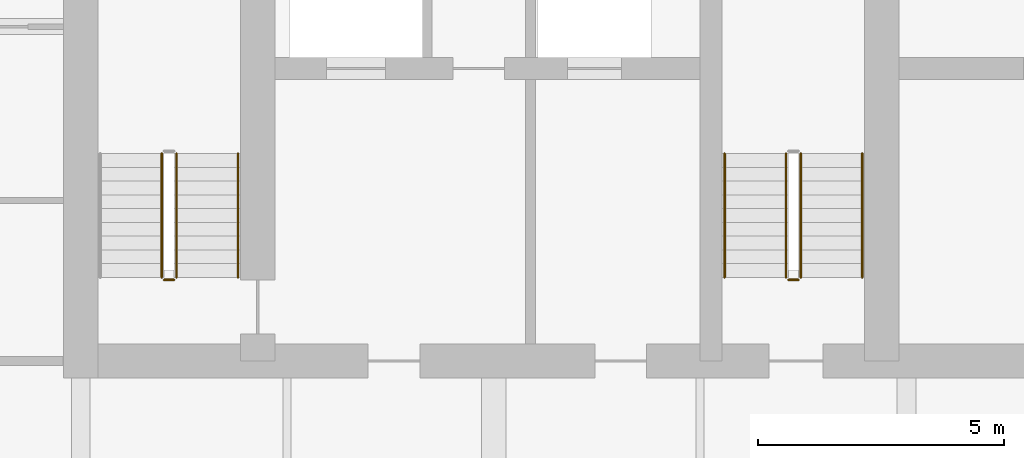
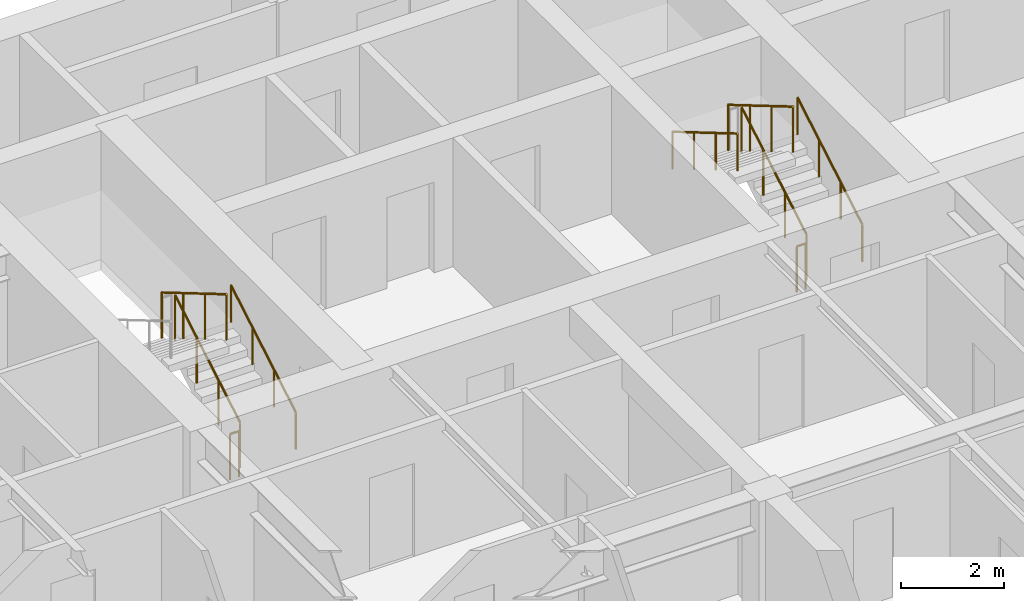
# One storey, part 13 of 16: 9 railings.
"""IFC4 building model written with IfcOpenShell, lengths in metres."""

from ifc_helpers import new_model, si_unit, direction, frame, origin, origin_2d, place, context, subcontext, project, spatial, circle, extrude, material, type_object, element, save


model = new_model("IFC4")

# Units and contexts
model_context = context("Model", 3, precision=1e-05, world=origin(), true_north=direction((0.0, 1.0)))
body_context = subcontext(model_context, "Body", "Model", "MODEL_VIEW")
ifc_project = project(units=[si_unit("LENGTHUNIT", "METRE"), si_unit("AREAUNIT", "SQUARE_METRE"), si_unit("VOLUMEUNIT", "CUBIC_METRE"), si_unit("PLANEANGLEUNIT", "RADIAN"), si_unit("MASSUNIT", "GRAM", prefix="KILO")], contexts=[model_context])

# Site, building, storey
site_placement = place(None, origin())
site = spatial("IfcSite", under=ifc_project, at=site_placement, CompositionType="ELEMENT")
building_placement = place(site_placement, origin())
building = spatial("IfcBuilding", under=site, at=building_placement, Name="Caelmar Bay Residences", CompositionType="ELEMENT")
storey_placement = place(building_placement, frame((0.0, 0.0, 252.89990234375)))
storey = spatial("IfcBuildingStorey", under=building, at=storey_placement, Name="L71", CompositionType="ELEMENT", Elevation=252.89990234375)

# Railings
ifc_material_1 = material(Name="Painted galvanized steel stair guard 1100 mm", Category="steel")
railing_type_1 = type_object("IfcRailingType", Name="RL-GRD-1100", PredefinedType="GUARDRAIL", material=ifc_material_1)
railing_1_placement = place(storey_placement, frame((20.25, 38.699951171875, 0.1650390625)))
element("IfcRailing", 1, at=railing_1_placement, inside=storey, type_object=railing_type_1, Name="L71 ST1 stair guard 1", PredefinedType="GUARDRAIL", context=body_context, shape_type="SweptSolid", body=[
    extrude(circle(Radius=0.02392578125, at=origin_2d()), frame((0.0, 0.0, 1.076171875), z_axis=(0.0, 0.86152411907, 0.507716645641), x_axis=(-1.0, 0.0, 0.0)), (0.0, 0.0, 1.0), 2.925048828125),
    extrude(circle(Radius=0.02099609375, at=origin_2d()), origin(), (0.0, 0.0, 1.0), 1.052001953125),
    extrude(circle(Radius=0.02099609375, at=origin_2d()), frame((0.0, 0.840087890625, 0.4951171875)), (0.0, 0.0, 1.0), 1.052001953125),
    extrude(circle(Radius=0.02099609375, at=origin_2d()), frame((0.0, 1.679931640625, 0.989990234375)), (0.0, 0.0, 1.0), 1.052001953125),
    extrude(circle(Radius=0.02099609375, at=origin_2d()), frame((0.0, 2.52001953125, 1.485107421875)), (0.0, 0.0, 1.0), 1.052001953125),
])
railing_2_placement = place(storey_placement, frame((19.949951171875, 41.219970703125, 1.815185546875)))
element("IfcRailing", 2, at=railing_2_placement, inside=storey, type_object=railing_type_1, Name="L71 ST1 stair guard 3", PredefinedType="GUARDRAIL", context=body_context, shape_type="SweptSolid", body=[
    extrude(circle(Radius=0.02392578125, at=origin_2d()), frame((0.0, 0.0, 1.076171875), z_axis=(0.0, -0.861560626758, 0.507654692109), x_axis=(1.0, 0.0, 0.0)), (0.0, 0.0, 1.0), 2.925048828125),
    extrude(circle(Radius=0.02099609375, at=origin_2d()), origin(), (0.0, 0.0, 1.0), 1.052001953125),
    extrude(circle(Radius=0.02099609375, at=origin_2d()), frame((0.0, -0.840087890625, 0.494873046875)), (0.0, 0.0, 1.0), 1.052001953125),
    extrude(circle(Radius=0.02099609375, at=origin_2d()), frame((0.0, -1.679931640625, 0.989990234375)), (0.0, 0.0, 1.0), 1.052001953125),
    extrude(circle(Radius=0.02099609375, at=origin_2d()), frame((0.0, -2.52001953125, 1.48486328125)), (0.0, 0.0, 1.0), 1.052001953125),
])
railing_3_placement = place(storey_placement, frame((20.199951171875, 38.64990234375, 0.0)))
element("IfcRailing", 3, at=railing_3_placement, inside=storey, type_object=railing_type_1, Name="L71 ST1 stair guard 4", PredefinedType="GUARDRAIL", context=body_context, shape_type="SweptSolid", body=[
    extrude(circle(Radius=0.02392578125, at=origin_2d()), frame((0.0, 0.0, 1.076171875), z_axis=(-1.0, 0.0, 0.0), x_axis=(0.0, -1.0, 0.0)), (0.0, 0.0, 1.0), 0.199951171875),
    extrude(circle(Radius=0.02099609375, at=origin_2d()), origin(), (0.0, 0.0, 1.0), 1.052001953125),
    extrude(circle(Radius=0.02099609375, at=origin_2d()), frame((-0.199951171875, 0.0, 0.0)), (0.0, 0.0, 1.0), 1.052001953125),
])
railing_4_placement = place(storey_placement, frame((32.949951171875, 38.699951171875, 0.1650390625)))
element("IfcRailing", 4, at=railing_4_placement, inside=storey, type_object=railing_type_1, Name="L71 ST3 stair guard 1", PredefinedType="GUARDRAIL", context=body_context, shape_type="SweptSolid", body=[
    extrude(circle(Radius=0.02392578125, at=origin_2d()), frame((0.0, 0.0, 1.076171875), z_axis=(0.0, 0.86152411907, 0.507716645641), x_axis=(-1.0, 0.0, 0.0)), (0.0, 0.0, 1.0), 2.925048828125),
    extrude(circle(Radius=0.02099609375, at=origin_2d()), origin(), (0.0, 0.0, 1.0), 1.052001953125),
    extrude(circle(Radius=0.02099609375, at=origin_2d()), frame((0.0, 0.840087890625, 0.4951171875)), (0.0, 0.0, 1.0), 1.052001953125),
    extrude(circle(Radius=0.02099609375, at=origin_2d()), frame((0.0, 1.679931640625, 0.989990234375)), (0.0, 0.0, 1.0), 1.052001953125),
    extrude(circle(Radius=0.02099609375, at=origin_2d()), frame((0.0, 2.52001953125, 1.485107421875)), (0.0, 0.0, 1.0), 1.052001953125),
])
railing_5_placement = place(storey_placement, frame((32.64990234375, 41.219970703125, 1.815185546875)))
element("IfcRailing", 5, at=railing_5_placement, inside=storey, type_object=railing_type_1, Name="L71 ST3 stair guard 3", PredefinedType="GUARDRAIL", context=body_context, shape_type="SweptSolid", body=[
    extrude(circle(Radius=0.02392578125, at=origin_2d()), frame((0.0, 0.0, 1.076171875), z_axis=(0.0, -0.861560626758, 0.507654692109), x_axis=(1.0, 0.0, 0.0)), (0.0, 0.0, 1.0), 2.925048828125),
    extrude(circle(Radius=0.02099609375, at=origin_2d()), origin(), (0.0, 0.0, 1.0), 1.052001953125),
    extrude(circle(Radius=0.02099609375, at=origin_2d()), frame((0.0, -0.840087890625, 0.494873046875)), (0.0, 0.0, 1.0), 1.052001953125),
    extrude(circle(Radius=0.02099609375, at=origin_2d()), frame((0.0, -1.679931640625, 0.989990234375)), (0.0, 0.0, 1.0), 1.052001953125),
    extrude(circle(Radius=0.02099609375, at=origin_2d()), frame((0.0, -2.52001953125, 1.48486328125)), (0.0, 0.0, 1.0), 1.052001953125),
])
railing_6_placement = place(storey_placement, frame((32.89990234375, 38.64990234375, 0.0)))
element("IfcRailing", 6, at=railing_6_placement, inside=storey, type_object=railing_type_1, Name="L71 ST3 stair guard 4", PredefinedType="GUARDRAIL", context=body_context, shape_type="SweptSolid", body=[
    extrude(circle(Radius=0.02392578125, at=origin_2d()), frame((0.0, 0.0, 1.076171875), z_axis=(-1.0, 0.0, 0.0), x_axis=(0.0, -1.0, 0.0)), (0.0, 0.0, 1.0), 0.199951171875),
    extrude(circle(Radius=0.02099609375, at=origin_2d()), origin(), (0.0, 0.0, 1.0), 1.052001953125),
    extrude(circle(Radius=0.02099609375, at=origin_2d()), frame((-0.199951171875, 0.0, 0.0)), (0.0, 0.0, 1.0), 1.052001953125),
])
ifc_material_2 = material(Name="Brushed bronze stainless-steel tubular handrail 900 mm", Category="steel")
railing_type_2 = type_object("IfcRailingType", Name="RL-HND-900", PredefinedType="HANDRAIL", material=ifc_material_2)
for number, where, name in (
    (7, (21.5, 38.699951171875, 0.1650390625), "L71 ST1 stair handrail 1"),
    (8, (34.199951171875, 38.699951171875, 0.1650390625), "L71 ST3 stair handrail 1"),
):
    element("IfcRailing", number, at=place(storey_placement, frame(where)), inside=storey, type_object=railing_type_2, Name=name, PredefinedType="HANDRAIL", context=body_context, shape_type="SweptSolid", body=[
        extrude(circle(Radius=0.02392578125, at=origin_2d()), frame((0.0, 0.0, 0.8759765625), z_axis=(0.0, 0.86152411907, 0.507716645641), x_axis=(-1.0, 0.0, 0.0)), (0.0, 0.0, 1.0), 2.925048828125),
        extrude(circle(Radius=0.02099609375, at=origin_2d()), origin(), (0.0, 0.0, 1.0), 0.851806640625),
        extrude(circle(Radius=0.02099609375, at=origin_2d()), frame((0.0, 0.840087890625, 0.4951171875)), (0.0, 0.0, 1.0), 0.851806640625),
        extrude(circle(Radius=0.02099609375, at=origin_2d()), frame((0.0, 1.679931640625, 0.989990234375)), (0.0, 0.0, 1.0), 0.851806640625),
        extrude(circle(Radius=0.02099609375, at=origin_2d()), frame((0.0, 2.52001953125, 1.485107421875)), (0.0, 0.0, 1.0), 0.851806640625),
    ])
railing_7_placement = place(storey_placement, frame((31.39990234375, 41.219970703125, 1.815185546875)))
element("IfcRailing", 9, at=railing_7_placement, inside=storey, type_object=railing_type_2, Name="L71 ST3 stair handrail 2", PredefinedType="HANDRAIL", context=body_context, shape_type="SweptSolid", body=[
    extrude(circle(Radius=0.02392578125, at=origin_2d()), frame((0.0, 0.0, 0.8759765625), z_axis=(0.0, -0.861560626758, 0.507654692109), x_axis=(1.0, 0.0, 0.0)), (0.0, 0.0, 1.0), 2.925048828125),
    extrude(circle(Radius=0.02099609375, at=origin_2d()), origin(), (0.0, 0.0, 1.0), 0.851806640625),
    extrude(circle(Radius=0.02099609375, at=origin_2d()), frame((0.0, -0.840087890625, 0.494873046875)), (0.0, 0.0, 1.0), 0.851806640625),
    extrude(circle(Radius=0.02099609375, at=origin_2d()), frame((0.0, -1.679931640625, 0.989990234375)), (0.0, 0.0, 1.0), 0.851806640625),
    extrude(circle(Radius=0.02099609375, at=origin_2d()), frame((0.0, -2.52001953125, 1.48486328125)), (0.0, 0.0, 1.0), 0.851806640625),
])

save(model, "model.ifc")
